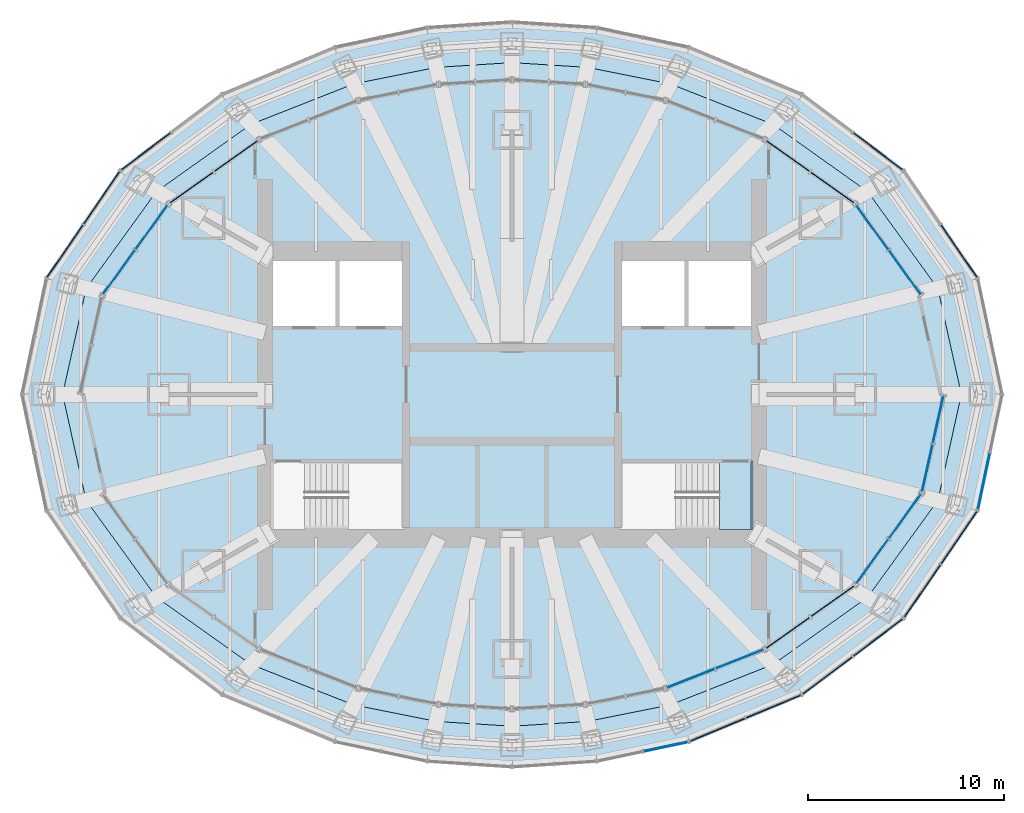
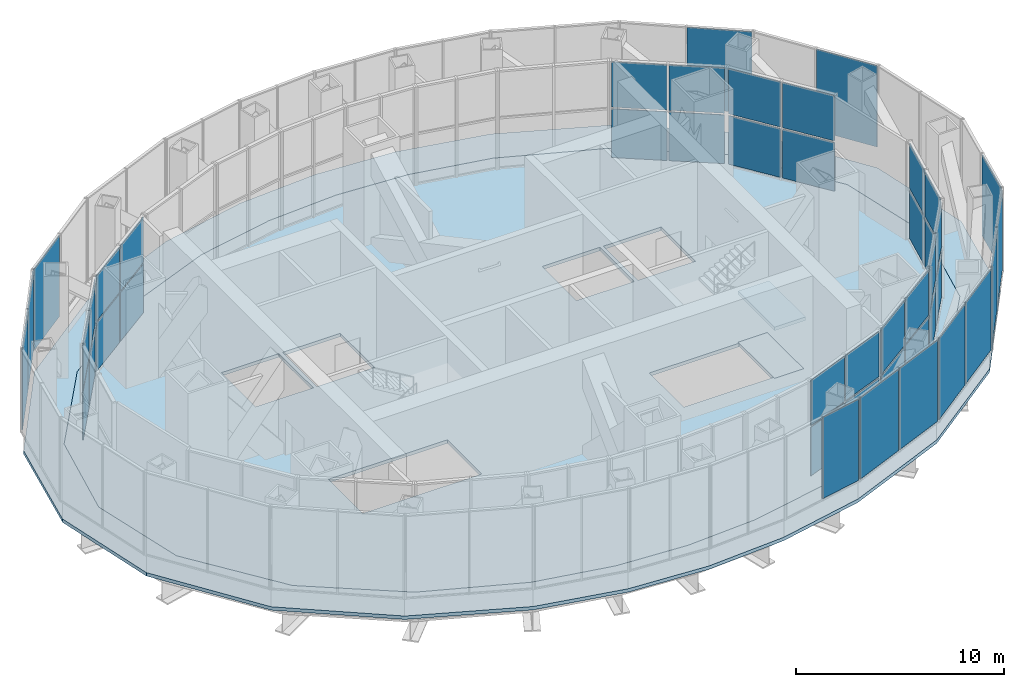
# One storey, part 14 of 21: 45 plates, 4 slabs, 18 elements without a shape of their own.
"""IFC4 building model written with IfcOpenShell, lengths in metres."""

from ifc_helpers import new_model, si_unit, direction, frame, origin, origin_2d, place, context, subcontext, project, spatial, polyline, rectangle, outline, extrude, material, layer, layer_set, type_object, element, aggregate, save


model = new_model("IFC4")

# Units and contexts
model_context = context("Model", 3, precision=1e-05, world=origin(), true_north=direction((0.0, 1.0)))
body_context = subcontext(model_context, "Body", "Model", "MODEL_VIEW")
ifc_project = project(units=[si_unit("LENGTHUNIT", "METRE"), si_unit("AREAUNIT", "SQUARE_METRE"), si_unit("VOLUMEUNIT", "CUBIC_METRE"), si_unit("PLANEANGLEUNIT", "RADIAN"), si_unit("MASSUNIT", "GRAM", prefix="KILO")], contexts=[model_context])

# Site, building, storey
site_placement = place(None, origin())
site = spatial("IfcSite", under=ifc_project, at=site_placement, CompositionType="ELEMENT")
building_placement = place(site_placement, origin())
building = spatial("IfcBuilding", under=site, at=building_placement, Name="Lantaw Convention Tower", CompositionType="ELEMENT")
storey_placement = place(building_placement, frame((0.0, 0.0, 284.39990234375)))
storey = spatial("IfcBuildingStorey", under=building, at=storey_placement, Name="L66", CompositionType="ELEMENT", Elevation=284.39990234375)

# Curtain wall, plates
ifc_material_1 = material(Name="Aluminium framed curtain wall", Category="aluminium")
curtain_wall_type_1 = type_object("IfcCurtainWallType", Name="Lantern corner louvre curtain wall, pale aluminium", PredefinedType="USERDEFINED", material=ifc_material_1)
curtain_wall_1_placement = place(storey_placement, origin())
curtain_wall_1 = element("IfcCurtainWall", 1, at=curtain_wall_1_placement, inside=storey, type_object=curtain_wall_type_1, Name="Lantern corner louvre curtain wall, pale aluminium L66", ObjectType="LOUVRE WALL", PredefinedType="USERDEFINED")
ifc_material_2 = material(Name="Aluminium louvre blades", Category="aluminium")
ifc_layer_1 = layer(ifc_material_2, 0.050048828125)
ifc_layer_set_1 = layer_set([ifc_layer_1], Name="CW-LC panel 50")
plate_type_1 = type_object("IfcPlateType", Name="CW-LC panel 50", PredefinedType="CURTAIN_PANEL", material=ifc_layer_set_1)
plate_1_placement = place(storey_placement, frame((16.344970703125, 10.549072265625, 0.10009765625), z_axis=(0.0, 0.0, 1.0), x_axis=(-0.814841441337, 0.579683901346, 0.0)))
plate_1 = element("IfcPlate", 2, at=plate_1_placement, type_object=plate_type_1, Name="CW-LC panel 1.1", PredefinedType="CURTAIN_PANEL", context=body_context, shape_type="SweptSolid", body=[
    extrude(rectangle(XDim=2.680419921875, YDim=0.050048828125, at=origin_2d()), origin(), (0.0, 0.0, 1.0), 2.85009765625),
])
plate_2_placement = place(storey_placement, frame((16.344970703125, 10.549072265625, 3.050048828125), z_axis=(0.0, 0.0, 1.0), x_axis=(-0.814841441337, 0.579683901346, 0.0)))
plate_2 = element("IfcPlate", 3, at=plate_2_placement, type_object=plate_type_1, Name="CW-LC panel 1.2", PredefinedType="CURTAIN_PANEL", context=body_context, shape_type="SweptSolid", body=[
    extrude(rectangle(XDim=2.680419921875, YDim=0.050048828125, at=origin_2d()), origin(), (0.0, 0.0, 1.0), 2.64990234375),
])
plate_3_placement = place(storey_placement, frame((14.079345703125, 12.16064453125, 0.10009765625), z_axis=(0.0, 0.0, 1.0), x_axis=(-0.814841441337, 0.579683901346, 0.0)))
plate_3 = element("IfcPlate", 4, at=plate_3_placement, type_object=plate_type_1, Name="CW-LC panel 2.1", PredefinedType="CURTAIN_PANEL", context=body_context, shape_type="SweptSolid", body=[
    extrude(rectangle(XDim=2.680419921875, YDim=0.050048828125, at=origin_2d()), origin(), (0.0, 0.0, 1.0), 2.85009765625),
])
plate_4_placement = place(storey_placement, frame((14.079345703125, 12.16064453125, 3.050048828125), z_axis=(0.0, 0.0, 1.0), x_axis=(-0.814841441337, 0.579683901346, 0.0)))
plate_4 = element("IfcPlate", 5, at=plate_4_placement, type_object=plate_type_1, Name="CW-LC panel 2.2", PredefinedType="CURTAIN_PANEL", context=body_context, shape_type="SweptSolid", body=[
    extrude(rectangle(XDim=2.680419921875, YDim=0.050048828125, at=origin_2d()), origin(), (0.0, 0.0, 1.0), 2.64990234375),
])
aggregate(curtain_wall_1, [plate_1, plate_2, plate_3, plate_4])

curtain_wall_2_placement = place(storey_placement, origin())
curtain_wall_2 = element("IfcCurtainWall", 6, at=curtain_wall_2_placement, inside=storey, type_object=curtain_wall_type_1, Name="Lantern corner louvre curtain wall, pale aluminium L66", ObjectType="LOUVRE WALL", PredefinedType="USERDEFINED")
plate_5_placement = place(storey_placement, frame((-14.079345703125, 12.16064453125, 0.10009765625), z_axis=(0.0, 0.0, 1.0), x_axis=(-0.814841441337, -0.579683901346, 0.0)))
plate_5 = element("IfcPlate", 7, at=plate_5_placement, type_object=plate_type_1, Name="CW-LC panel 1.1", PredefinedType="CURTAIN_PANEL", context=body_context, shape_type="SweptSolid", body=[
    extrude(rectangle(XDim=2.680419921875, YDim=0.050048828125, at=origin_2d()), origin(), (0.0, 0.0, 1.0), 2.85009765625),
])
plate_6_placement = place(storey_placement, frame((-14.079345703125, 12.16064453125, 3.050048828125), z_axis=(0.0, 0.0, 1.0), x_axis=(-0.814841441337, -0.579683901346, 0.0)))
plate_6 = element("IfcPlate", 8, at=plate_6_placement, type_object=plate_type_1, Name="CW-LC panel 1.2", PredefinedType="CURTAIN_PANEL", context=body_context, shape_type="SweptSolid", body=[
    extrude(rectangle(XDim=2.680419921875, YDim=0.050048828125, at=origin_2d()), origin(), (0.0, 0.0, 1.0), 2.64990234375),
])
plate_7_placement = place(storey_placement, frame((-16.344970703125, 10.549072265625, 0.10009765625), z_axis=(0.0, 0.0, 1.0), x_axis=(-0.814841441337, -0.579683901346, 0.0)))
plate_7 = element("IfcPlate", 9, at=plate_7_placement, type_object=plate_type_1, Name="CW-LC panel 2.1", PredefinedType="CURTAIN_PANEL", context=body_context, shape_type="SweptSolid", body=[
    extrude(rectangle(XDim=2.680419921875, YDim=0.050048828125, at=origin_2d()), origin(), (0.0, 0.0, 1.0), 2.85009765625),
])
plate_8_placement = place(storey_placement, frame((-16.344970703125, 10.549072265625, 3.050048828125), z_axis=(0.0, 0.0, 1.0), x_axis=(-0.814841441337, -0.579683901346, 0.0)))
plate_8 = element("IfcPlate", 10, at=plate_8_placement, type_object=plate_type_1, Name="CW-LC panel 2.2", PredefinedType="CURTAIN_PANEL", context=body_context, shape_type="SweptSolid", body=[
    extrude(rectangle(XDim=2.680419921875, YDim=0.050048828125, at=origin_2d()), origin(), (0.0, 0.0, 1.0), 2.64990234375),
])
aggregate(curtain_wall_2, [plate_5, plate_6, plate_7, plate_8])

curtain_wall_3_placement = place(storey_placement, origin())
curtain_wall_3 = element("IfcCurtainWall", 11, at=curtain_wall_3_placement, inside=storey, type_object=curtain_wall_type_1, Name="Lantern corner louvre curtain wall, pale aluminium L66", ObjectType="LOUVRE WALL", PredefinedType="USERDEFINED")
plate_9_placement = place(storey_placement, frame((14.079345703125, -12.16064453125, 0.10009765625), z_axis=(0.0, 0.0, 1.0), x_axis=(0.814841441337, 0.579683901346, 0.0)))
plate_9 = element("IfcPlate", 12, at=plate_9_placement, type_object=plate_type_1, Name="CW-LC panel 1.1", PredefinedType="CURTAIN_PANEL", context=body_context, shape_type="SweptSolid", body=[
    extrude(rectangle(XDim=2.680419921875, YDim=0.050048828125, at=origin_2d()), origin(), (0.0, 0.0, 1.0), 2.85009765625),
])
plate_10_placement = place(storey_placement, frame((14.079345703125, -12.16064453125, 3.050048828125), z_axis=(0.0, 0.0, 1.0), x_axis=(0.814841441337, 0.579683901346, 0.0)))
plate_10 = element("IfcPlate", 13, at=plate_10_placement, type_object=plate_type_1, Name="CW-LC panel 1.2", PredefinedType="CURTAIN_PANEL", context=body_context, shape_type="SweptSolid", body=[
    extrude(rectangle(XDim=2.680419921875, YDim=0.050048828125, at=origin_2d()), origin(), (0.0, 0.0, 1.0), 2.64990234375),
])
plate_11_placement = place(storey_placement, frame((16.344970703125, -10.549072265625, 0.10009765625), z_axis=(0.0, 0.0, 1.0), x_axis=(0.814841441337, 0.579683901346, 0.0)))
plate_11 = element("IfcPlate", 14, at=plate_11_placement, type_object=plate_type_1, Name="CW-LC panel 2.1", PredefinedType="CURTAIN_PANEL", context=body_context, shape_type="SweptSolid", body=[
    extrude(rectangle(XDim=2.680419921875, YDim=0.050048828125, at=origin_2d()), origin(), (0.0, 0.0, 1.0), 2.85009765625),
])
plate_12_placement = place(storey_placement, frame((16.344970703125, -10.549072265625, 3.050048828125), z_axis=(0.0, 0.0, 1.0), x_axis=(0.814841441337, 0.579683901346, 0.0)))
plate_12 = element("IfcPlate", 15, at=plate_12_placement, type_object=plate_type_1, Name="CW-LC panel 2.2", PredefinedType="CURTAIN_PANEL", context=body_context, shape_type="SweptSolid", body=[
    extrude(rectangle(XDim=2.680419921875, YDim=0.050048828125, at=origin_2d()), origin(), (0.0, 0.0, 1.0), 2.64990234375),
])
aggregate(curtain_wall_3, [plate_9, plate_10, plate_11, plate_12])

curtain_wall_type_2 = type_object("IfcCurtainWallType", Name="LANTERN glazing curtain wall, pale aluminium", PredefinedType="USERDEFINED", material=ifc_material_1)
curtain_wall_4_placement = place(storey_placement, origin())
curtain_wall_4 = element("IfcCurtainWall", 16, at=curtain_wall_4_placement, inside=storey, type_object=curtain_wall_type_2, Name="LANTERN glazing curtain wall, pale aluminium L66", ObjectType="LANTERN GLAZING", PredefinedType="USERDEFINED")
ifc_material_3 = material(Name="Low-iron laminated glass", Category="glass")
ifc_layer_2 = layer(ifc_material_3, 0.035888671875)
ifc_layer_set_2 = layer_set([ifc_layer_2], Name="CW-LN panel 36")
plate_type_2 = type_object("IfcPlateType", Name="CW-LN panel 36", PredefinedType="CURTAIN_PANEL", material=ifc_layer_set_2)
plate_13_placement = place(storey_placement, frame((20.04638671875, 6.2255859375, 0.10009765625), z_axis=(0.0, 0.0, 1.0), x_axis=(-0.586786346995, 0.809741800193, 0.0)))
plate_13 = element("IfcPlate", 17, at=plate_13_placement, type_object=plate_type_2, Name="CW-LN panel 1.1", PredefinedType="CURTAIN_PANEL", context=body_context, shape_type="SweptSolid", body=[
    extrude(rectangle(XDim=2.73876953125, YDim=0.035888671875, at=origin_2d()), origin(), (0.0, 0.0, 1.0), 2.85009765625),
])
plate_14_placement = place(storey_placement, frame((20.04638671875, 6.2255859375, 3.050048828125), z_axis=(0.0, 0.0, 1.0), x_axis=(-0.586786346995, 0.809741800193, 0.0)))
plate_14 = element("IfcPlate", 18, at=plate_14_placement, type_object=plate_type_2, Name="CW-LN panel 1.2", PredefinedType="CURTAIN_PANEL", context=body_context, shape_type="SweptSolid", body=[
    extrude(rectangle(XDim=2.73876953125, YDim=0.035888671875, at=origin_2d()), origin(), (0.0, 0.0, 1.0), 2.64990234375),
])
plate_15_placement = place(storey_placement, frame((18.380615234375, 8.524169921875, 0.10009765625), z_axis=(0.0, 0.0, 1.0), x_axis=(-0.586786346995, 0.809741800193, 0.0)))
plate_15 = element("IfcPlate", 19, at=plate_15_placement, type_object=plate_type_2, Name="CW-LN panel 2.1", PredefinedType="CURTAIN_PANEL", context=body_context, shape_type="SweptSolid", body=[
    extrude(rectangle(XDim=2.73876953125, YDim=0.035888671875, at=origin_2d()), origin(), (0.0, 0.0, 1.0), 2.85009765625),
])
plate_16_placement = place(storey_placement, frame((18.380615234375, 8.524169921875, 3.050048828125), z_axis=(0.0, 0.0, 1.0), x_axis=(-0.586786346995, 0.809741800193, 0.0)))
plate_16 = element("IfcPlate", 20, at=plate_16_placement, type_object=plate_type_2, Name="CW-LN panel 2.2", PredefinedType="CURTAIN_PANEL", context=body_context, shape_type="SweptSolid", body=[
    extrude(rectangle(XDim=2.73876953125, YDim=0.035888671875, at=origin_2d()), origin(), (0.0, 0.0, 1.0), 2.64990234375),
])
aggregate(curtain_wall_4, [plate_13, plate_14, plate_15, plate_16])

curtain_wall_5_placement = place(storey_placement, origin())
curtain_wall_5 = element("IfcCurtainWall", 21, at=curtain_wall_5_placement, inside=storey, type_object=curtain_wall_type_2, Name="LANTERN glazing curtain wall, pale aluminium L66", ObjectType="LANTERN GLAZING", PredefinedType="USERDEFINED")
plate_17_placement = place(storey_placement, frame((-18.380615234375, 8.524169921875, 0.10009765625), z_axis=(0.0, 0.0, 1.0), x_axis=(-0.586786346995, -0.809741800193, 0.0)))
plate_17 = element("IfcPlate", 22, at=plate_17_placement, type_object=plate_type_2, Name="CW-LN panel 1.1", PredefinedType="CURTAIN_PANEL", context=body_context, shape_type="SweptSolid", body=[
    extrude(rectangle(XDim=2.73876953125, YDim=0.035888671875, at=origin_2d()), origin(), (0.0, 0.0, 1.0), 2.85009765625),
])
plate_18_placement = place(storey_placement, frame((-18.380615234375, 8.524169921875, 3.050048828125), z_axis=(0.0, 0.0, 1.0), x_axis=(-0.586786346995, -0.809741800193, 0.0)))
plate_18 = element("IfcPlate", 23, at=plate_18_placement, type_object=plate_type_2, Name="CW-LN panel 1.2", PredefinedType="CURTAIN_PANEL", context=body_context, shape_type="SweptSolid", body=[
    extrude(rectangle(XDim=2.73876953125, YDim=0.035888671875, at=origin_2d()), origin(), (0.0, 0.0, 1.0), 2.64990234375),
])
plate_19_placement = place(storey_placement, frame((-20.04638671875, 6.2255859375, 0.10009765625), z_axis=(0.0, 0.0, 1.0), x_axis=(-0.586786346995, -0.809741800193, 0.0)))
plate_19 = element("IfcPlate", 24, at=plate_19_placement, type_object=plate_type_2, Name="CW-LN panel 2.1", PredefinedType="CURTAIN_PANEL", context=body_context, shape_type="SweptSolid", body=[
    extrude(rectangle(XDim=2.73876953125, YDim=0.035888671875, at=origin_2d()), origin(), (0.0, 0.0, 1.0), 2.85009765625),
])
plate_20_placement = place(storey_placement, frame((-20.04638671875, 6.2255859375, 3.050048828125), z_axis=(0.0, 0.0, 1.0), x_axis=(-0.586786346995, -0.809741800193, 0.0)))
plate_20 = element("IfcPlate", 25, at=plate_20_placement, type_object=plate_type_2, Name="CW-LN panel 2.2", PredefinedType="CURTAIN_PANEL", context=body_context, shape_type="SweptSolid", body=[
    extrude(rectangle(XDim=2.73876953125, YDim=0.035888671875, at=origin_2d()), origin(), (0.0, 0.0, 1.0), 2.64990234375),
])
aggregate(curtain_wall_5, [plate_17, plate_18, plate_19, plate_20])

curtain_wall_6_placement = place(storey_placement, origin())
curtain_wall_6 = element("IfcCurtainWall", 26, at=curtain_wall_6_placement, inside=storey, type_object=curtain_wall_type_2, Name="LANTERN glazing curtain wall, pale aluminium L66", ObjectType="LANTERN GLAZING", PredefinedType="USERDEFINED")
plate_21_placement = place(storey_placement, frame((9.127197265625, -14.4853515625, 0.10009765625), z_axis=(0.0, 0.0, 1.0), x_axis=(0.930299050885, 0.366801957358, 0.0)))
plate_21 = element("IfcPlate", 27, at=plate_21_placement, type_object=plate_type_2, Name="CW-LN panel 1.1", PredefinedType="CURTAIN_PANEL", context=body_context, shape_type="SweptSolid", body=[
    extrude(rectangle(XDim=2.574462890625, YDim=0.035888671875, at=origin_2d()), origin(), (0.0, 0.0, 1.0), 2.85009765625),
])
plate_22_placement = place(storey_placement, frame((9.127197265625, -14.4853515625, 3.050048828125), z_axis=(0.0, 0.0, 1.0), x_axis=(0.930299050885, 0.366801957358, 0.0)))
plate_22 = element("IfcPlate", 28, at=plate_22_placement, type_object=plate_type_2, Name="CW-LN panel 1.2", PredefinedType="CURTAIN_PANEL", context=body_context, shape_type="SweptSolid", body=[
    extrude(rectangle(XDim=2.574462890625, YDim=0.035888671875, at=origin_2d()), origin(), (0.0, 0.0, 1.0), 2.64990234375),
])
plate_23_placement = place(storey_placement, frame((11.615234375, -13.50439453125, 0.10009765625), z_axis=(0.0, 0.0, 1.0), x_axis=(0.930299050885, 0.366801957358, 0.0)))
plate_23 = element("IfcPlate", 29, at=plate_23_placement, type_object=plate_type_2, Name="CW-LN panel 2.1", PredefinedType="CURTAIN_PANEL", context=body_context, shape_type="SweptSolid", body=[
    extrude(rectangle(XDim=2.574462890625, YDim=0.035888671875, at=origin_2d()), origin(), (0.0, 0.0, 1.0), 2.85009765625),
])
plate_24_placement = place(storey_placement, frame((11.615234375, -13.50439453125, 3.050048828125), z_axis=(0.0, 0.0, 1.0), x_axis=(0.930299050885, 0.366801957358, 0.0)))
plate_24 = element("IfcPlate", 30, at=plate_24_placement, type_object=plate_type_2, Name="CW-LN panel 2.2", PredefinedType="CURTAIN_PANEL", context=body_context, shape_type="SweptSolid", body=[
    extrude(rectangle(XDim=2.574462890625, YDim=0.035888671875, at=origin_2d()), origin(), (0.0, 0.0, 1.0), 2.64990234375),
])
aggregate(curtain_wall_6, [plate_21, plate_22, plate_23, plate_24])

curtain_wall_7_placement = place(storey_placement, origin())
curtain_wall_7 = element("IfcCurtainWall", 31, at=curtain_wall_7_placement, inside=storey, type_object=curtain_wall_type_2, Name="LANTERN glazing curtain wall, pale aluminium L66", ObjectType="LANTERN GLAZING", PredefinedType="USERDEFINED")
plate_25_placement = place(storey_placement, frame((18.380615234375, -8.524169921875, 0.10009765625), z_axis=(0.0, 0.0, 1.0), x_axis=(0.586786346995, 0.809741800193, 0.0)))
plate_25 = element("IfcPlate", 32, at=plate_25_placement, type_object=plate_type_2, Name="CW-LN panel 1.1", PredefinedType="CURTAIN_PANEL", context=body_context, shape_type="SweptSolid", body=[
    extrude(rectangle(XDim=2.73876953125, YDim=0.035888671875, at=origin_2d()), origin(), (0.0, 0.0, 1.0), 2.85009765625),
])
plate_26_placement = place(storey_placement, frame((18.380615234375, -8.524169921875, 3.050048828125), z_axis=(0.0, 0.0, 1.0), x_axis=(0.586786346995, 0.809741800193, 0.0)))
plate_26 = element("IfcPlate", 33, at=plate_26_placement, type_object=plate_type_2, Name="CW-LN panel 1.2", PredefinedType="CURTAIN_PANEL", context=body_context, shape_type="SweptSolid", body=[
    extrude(rectangle(XDim=2.73876953125, YDim=0.035888671875, at=origin_2d()), origin(), (0.0, 0.0, 1.0), 2.64990234375),
])
plate_27_placement = place(storey_placement, frame((20.04638671875, -6.2255859375, 0.10009765625), z_axis=(0.0, 0.0, 1.0), x_axis=(0.586786346995, 0.809741800193, 0.0)))
plate_27 = element("IfcPlate", 34, at=plate_27_placement, type_object=plate_type_2, Name="CW-LN panel 2.1", PredefinedType="CURTAIN_PANEL", context=body_context, shape_type="SweptSolid", body=[
    extrude(rectangle(XDim=2.73876953125, YDim=0.035888671875, at=origin_2d()), origin(), (0.0, 0.0, 1.0), 2.85009765625),
])
plate_28_placement = place(storey_placement, frame((20.04638671875, -6.2255859375, 3.050048828125), z_axis=(0.0, 0.0, 1.0), x_axis=(0.586786346995, 0.809741800193, 0.0)))
plate_28 = element("IfcPlate", 35, at=plate_28_placement, type_object=plate_type_2, Name="CW-LN panel 2.2", PredefinedType="CURTAIN_PANEL", context=body_context, shape_type="SweptSolid", body=[
    extrude(rectangle(XDim=2.73876953125, YDim=0.035888671875, at=origin_2d()), origin(), (0.0, 0.0, 1.0), 2.64990234375),
])
aggregate(curtain_wall_7, [plate_25, plate_26, plate_27, plate_28])

curtain_wall_8_placement = place(storey_placement, origin())
curtain_wall_8 = element("IfcCurtainWall", 36, at=curtain_wall_8_placement, inside=storey, type_object=curtain_wall_type_2, Name="LANTERN glazing curtain wall, pale aluminium L66", ObjectType="LANTERN GLAZING", PredefinedType="USERDEFINED")
plate_29_placement = place(storey_placement, frame((21.193603515625, -3.75244140625, 0.10009765625), z_axis=(0.0, 0.0, 1.0), x_axis=(0.216765379683, 0.976223729568, 0.0)))
plate_29 = element("IfcPlate", 37, at=plate_29_placement, type_object=plate_type_2, Name="CW-LN panel 1.1", PredefinedType="CURTAIN_PANEL", context=body_context, shape_type="SweptSolid", body=[
    extrude(rectangle(XDim=2.42919921875, YDim=0.035888671875, at=origin_2d()), origin(), (0.0, 0.0, 1.0), 2.85009765625),
])
plate_30_placement = place(storey_placement, frame((21.193603515625, -3.75244140625, 3.050048828125), z_axis=(0.0, 0.0, 1.0), x_axis=(0.216765379683, 0.976223729568, 0.0)))
plate_30 = element("IfcPlate", 38, at=plate_30_placement, type_object=plate_type_2, Name="CW-LN panel 1.2", PredefinedType="CURTAIN_PANEL", context=body_context, shape_type="SweptSolid", body=[
    extrude(rectangle(XDim=2.42919921875, YDim=0.035888671875, at=origin_2d()), origin(), (0.0, 0.0, 1.0), 2.64990234375),
])
plate_31_placement = place(storey_placement, frame((21.741943359375, -1.283203125, 0.10009765625), z_axis=(0.0, 0.0, 1.0), x_axis=(0.216765379683, 0.976223729568, 0.0)))
plate_31 = element("IfcPlate", 39, at=plate_31_placement, type_object=plate_type_2, Name="CW-LN panel 2.1", PredefinedType="CURTAIN_PANEL", context=body_context, shape_type="SweptSolid", body=[
    extrude(rectangle(XDim=2.42919921875, YDim=0.035888671875, at=origin_2d()), origin(), (0.0, 0.0, 1.0), 2.85009765625),
])
plate_32_placement = place(storey_placement, frame((21.741943359375, -1.283203125, 3.050048828125), z_axis=(0.0, 0.0, 1.0), x_axis=(0.216765379683, 0.976223729568, 0.0)))
plate_32 = element("IfcPlate", 40, at=plate_32_placement, type_object=plate_type_2, Name="CW-LN panel 2.2", PredefinedType="CURTAIN_PANEL", context=body_context, shape_type="SweptSolid", body=[
    extrude(rectangle(XDim=2.42919921875, YDim=0.035888671875, at=origin_2d()), origin(), (0.0, 0.0, 1.0), 2.64990234375),
])
aggregate(curtain_wall_8, [plate_29, plate_30, plate_31, plate_32])

# Curtain wall, plate
curtain_wall_type_3 = type_object("IfcCurtainWallType", Name="Plant floor louvre wall, pale aluminium", PredefinedType="USERDEFINED", material=ifc_material_1)
curtain_wall_9_placement = place(storey_placement, origin())
curtain_wall_9 = element("IfcCurtainWall", 41, at=curtain_wall_9_placement, inside=storey, type_object=curtain_wall_type_3, Name="Plant floor louvre wall, pale aluminium L66", ObjectType="LOUVRE WALL", PredefinedType="USERDEFINED")
ifc_layer_3 = layer(ifc_material_2, 0.050048828125)
ifc_layer_set_3 = layer_set([ifc_layer_3], Name="CW-LV panel 50")
plate_type_3 = type_object("IfcPlateType", Name="CW-LV panel 50", PredefinedType="CURTAIN_PANEL", material=ifc_layer_set_3)
plate_33_placement = place(storey_placement, frame((22.80126953125, 7.31103515625, 1.169921875), z_axis=(0.0, 0.0, 1.0), x_axis=(-0.565934832921, 0.824449977189, 0.0)))
plate_33 = element("IfcPlate", 42, at=plate_33_placement, type_object=plate_type_3, Name="CW-LV panel 1.1", PredefinedType="CURTAIN_PANEL", context=body_context, shape_type="SweptSolid", body=[
    extrude(rectangle(XDim=3.22802734375, YDim=0.050048828125, at=origin_2d()), origin(), (0.0, 0.0, 1.0), 4.760009765625),
])
aggregate(curtain_wall_9, [plate_33])

curtain_wall_10_placement = place(storey_placement, origin())
curtain_wall_10 = element("IfcCurtainWall", 43, at=curtain_wall_10_placement, inside=storey, type_object=curtain_wall_type_3, Name="Plant floor louvre wall, pale aluminium L66", ObjectType="LOUVRE WALL", PredefinedType="USERDEFINED")
plate_34_placement = place(storey_placement, frame((18.67041015625, 12.403564453125, 1.169921875), z_axis=(0.0, 0.0, 1.0), x_axis=(-0.799517528732, 0.600642756762, 0.0)))
plate_34 = element("IfcPlate", 44, at=plate_34_placement, type_object=plate_type_3, Name="CW-LV panel 1.1", PredefinedType="CURTAIN_PANEL", context=body_context, shape_type="SweptSolid", body=[
    extrude(rectangle(XDim=3.140869140625, YDim=0.050048828125, at=origin_2d()), origin(), (0.0, 0.0, 1.0), 4.760009765625),
])
aggregate(curtain_wall_10, [plate_34])

curtain_wall_11_placement = place(storey_placement, origin())
curtain_wall_11 = element("IfcCurtainWall", 45, at=curtain_wall_11_placement, inside=storey, type_object=curtain_wall_type_3, Name="Plant floor louvre wall, pale aluminium L66", ObjectType="LOUVRE WALL", PredefinedType="USERDEFINED")
plate_35_placement = place(storey_placement, frame((-18.67041015625, 12.403564453125, 1.169921875), z_axis=(0.0, 0.0, 1.0), x_axis=(-0.799517528732, -0.600642756762, 0.0)))
plate_35 = element("IfcPlate", 46, at=plate_35_placement, type_object=plate_type_3, Name="CW-LV panel 2.1", PredefinedType="CURTAIN_PANEL", context=body_context, shape_type="SweptSolid", body=[
    extrude(rectangle(XDim=3.140869140625, YDim=0.050048828125, at=origin_2d()), origin(), (0.0, 0.0, 1.0), 4.760009765625),
])
aggregate(curtain_wall_11, [plate_35])

# Curtain wall, plates
curtain_wall_12_placement = place(storey_placement, origin())
curtain_wall_12 = element("IfcCurtainWall", 47, at=curtain_wall_12_placement, inside=storey, type_object=curtain_wall_type_3, Name="Plant floor louvre wall, pale aluminium L66", ObjectType="LOUVRE WALL", PredefinedType="USERDEFINED")
plate_36_placement = place(storey_placement, frame((-20.93505859375, 10.030029296875, 1.169921875), z_axis=(0.0, 0.0, 1.0), x_axis=(-0.565934832921, -0.824449977189, 0.0)))
plate_36 = element("IfcPlate", 48, at=plate_36_placement, type_object=plate_type_3, Name="CW-LV panel 1.1", PredefinedType="CURTAIN_PANEL", context=body_context, shape_type="SweptSolid", body=[
    extrude(rectangle(XDim=3.22802734375, YDim=0.050048828125, at=origin_2d()), origin(), (0.0, 0.0, 1.0), 4.760009765625),
])
plate_37_placement = place(storey_placement, frame((-22.80126953125, 7.31103515625, 1.169921875), z_axis=(0.0, 0.0, 1.0), x_axis=(-0.565934832921, -0.824449977189, 0.0)))
plate_37 = element("IfcPlate", 49, at=plate_37_placement, type_object=plate_type_3, Name="CW-LV panel 2.1", PredefinedType="CURTAIN_PANEL", context=body_context, shape_type="SweptSolid", body=[
    extrude(rectangle(XDim=3.22802734375, YDim=0.050048828125, at=origin_2d()), origin(), (0.0, 0.0, 1.0), 4.760009765625),
])
aggregate(curtain_wall_12, [plate_36, plate_37])

# Curtain wall, plate
curtain_wall_13_placement = place(storey_placement, origin())
curtain_wall_13 = element("IfcCurtainWall", 50, at=curtain_wall_13_placement, inside=storey, type_object=curtain_wall_type_3, Name="Plant floor louvre wall, pale aluminium L66", ObjectType="LOUVRE WALL", PredefinedType="USERDEFINED")
plate_38_placement = place(storey_placement, frame((7.833740234375, -17.970703125, 1.169921875), z_axis=(0.0, 0.0, 1.0), x_axis=(0.978332497083, 0.207039911975, 0.0)))
plate_38 = element("IfcPlate", 51, at=plate_38_placement, type_object=plate_type_3, Name="CW-LV panel 2.1", PredefinedType="CURTAIN_PANEL", context=body_context, shape_type="SweptSolid", body=[
    extrude(rectangle(XDim=2.30078125, YDim=0.050048828125, at=origin_2d()), origin(), (0.0, 0.0, 1.0), 4.760009765625),
])
aggregate(curtain_wall_13, [plate_38])

# Curtain wall, plates
curtain_wall_14_placement = place(storey_placement, origin())
curtain_wall_14 = element("IfcCurtainWall", 52, at=curtain_wall_14_placement, inside=storey, type_object=curtain_wall_type_3, Name="Plant floor louvre wall, pale aluminium L66", ObjectType="LOUVRE WALL", PredefinedType="USERDEFINED")
plate_39_placement = place(storey_placement, frame((10.48486328125, -17.111083984375, 1.169921875), z_axis=(0.0, 0.0, 1.0), x_axis=(0.923141777124, 0.384459697924, 0.0)))
plate_39 = element("IfcPlate", 53, at=plate_39_placement, type_object=plate_type_3, Name="CW-LV panel 1.1", PredefinedType="CURTAIN_PANEL", context=body_context, shape_type="SweptSolid", body=[
    extrude(rectangle(XDim=3.01708984375, YDim=0.050048828125, at=origin_2d()), origin(), (0.0, 0.0, 1.0), 4.760009765625),
])
plate_40_placement = place(storey_placement, frame((13.334716796875, -15.92431640625, 1.169921875), z_axis=(0.0, 0.0, 1.0), x_axis=(0.923141777124, 0.384459697924, 0.0)))
plate_40 = element("IfcPlate", 54, at=plate_40_placement, type_object=plate_type_3, Name="CW-LV panel 2.1", PredefinedType="CURTAIN_PANEL", context=body_context, shape_type="SweptSolid", body=[
    extrude(rectangle(XDim=3.01708984375, YDim=0.050048828125, at=origin_2d()), origin(), (0.0, 0.0, 1.0), 4.760009765625),
])
aggregate(curtain_wall_14, [plate_39, plate_40])

curtain_wall_15_placement = place(storey_placement, origin())
curtain_wall_15 = element("IfcCurtainWall", 55, at=curtain_wall_15_placement, inside=storey, type_object=curtain_wall_type_3, Name="Plant floor louvre wall, pale aluminium L66", ObjectType="LOUVRE WALL", PredefinedType="USERDEFINED")
plate_41_placement = place(storey_placement, frame((16.103271484375, -14.33203125, 1.169921875), z_axis=(0.0, 0.0, 1.0), x_axis=(0.799517528732, 0.600642756762, 0.0)))
plate_41 = element("IfcPlate", 56, at=plate_41_placement, type_object=plate_type_3, Name="CW-LV panel 1.1", PredefinedType="CURTAIN_PANEL", context=body_context, shape_type="SweptSolid", body=[
    extrude(rectangle(XDim=3.140869140625, YDim=0.050048828125, at=origin_2d()), origin(), (0.0, 0.0, 1.0), 4.760009765625),
])
plate_42_placement = place(storey_placement, frame((18.67041015625, -12.403564453125, 1.169921875), z_axis=(0.0, 0.0, 1.0), x_axis=(0.799517528732, 0.600642756762, 0.0)))
plate_42 = element("IfcPlate", 57, at=plate_42_placement, type_object=plate_type_3, Name="CW-LV panel 2.1", PredefinedType="CURTAIN_PANEL", context=body_context, shape_type="SweptSolid", body=[
    extrude(rectangle(XDim=3.140869140625, YDim=0.050048828125, at=origin_2d()), origin(), (0.0, 0.0, 1.0), 4.760009765625),
])
aggregate(curtain_wall_15, [plate_41, plate_42])

curtain_wall_16_placement = place(storey_placement, origin())
curtain_wall_16 = element("IfcCurtainWall", 58, at=curtain_wall_16_placement, inside=storey, type_object=curtain_wall_type_3, Name="Plant floor louvre wall, pale aluminium L66", ObjectType="LOUVRE WALL", PredefinedType="USERDEFINED")
plate_43_placement = place(storey_placement, frame((20.93505859375, -10.030029296875, 1.169921875), z_axis=(0.0, 0.0, 1.0), x_axis=(0.565934832921, 0.824449977189, 0.0)))
plate_43 = element("IfcPlate", 59, at=plate_43_placement, type_object=plate_type_3, Name="CW-LV panel 1.1", PredefinedType="CURTAIN_PANEL", context=body_context, shape_type="SweptSolid", body=[
    extrude(rectangle(XDim=3.22802734375, YDim=0.050048828125, at=origin_2d()), origin(), (0.0, 0.0, 1.0), 4.760009765625),
])
plate_44_placement = place(storey_placement, frame((22.80126953125, -7.31103515625, 1.169921875), z_axis=(0.0, 0.0, 1.0), x_axis=(0.565934832921, 0.824449977189, 0.0)))
plate_44 = element("IfcPlate", 60, at=plate_44_placement, type_object=plate_type_3, Name="CW-LV panel 2.1", PredefinedType="CURTAIN_PANEL", context=body_context, shape_type="SweptSolid", body=[
    extrude(rectangle(XDim=3.22802734375, YDim=0.050048828125, at=origin_2d()), origin(), (0.0, 0.0, 1.0), 4.760009765625),
])
aggregate(curtain_wall_16, [plate_43, plate_44])

# Curtain wall, plate
curtain_wall_17_placement = place(storey_placement, origin())
curtain_wall_17 = element("IfcCurtainWall", 61, at=curtain_wall_17_placement, inside=storey, type_object=curtain_wall_type_3, Name="Plant floor louvre wall, pale aluminium L66", ObjectType="LOUVRE WALL", PredefinedType="USERDEFINED")
plate_45_placement = place(storey_placement, frame((24.0693359375, -4.4248046875, 1.169921875), z_axis=(0.0, 0.0, 1.0), x_axis=(0.205814054946, 0.978591117263, 0.0)))
plate_45 = element("IfcPlate", 62, at=plate_45_placement, type_object=plate_type_3, Name="CW-LV panel 1.1", PredefinedType="CURTAIN_PANEL", context=body_context, shape_type="SweptSolid", body=[
    extrude(rectangle(XDim=2.921142578125, YDim=0.050048828125, at=origin_2d()), origin(), (0.0, 0.0, 1.0), 4.760009765625),
])
aggregate(curtain_wall_17, [plate_45])

# Slab
ifc_material_4 = material(Name="Concrete C35/45", Category="concrete")
ifc_layer_4 = layer(ifc_material_4, 0.199951171875)
ifc_layer_set_4 = layer_set([ifc_layer_4], Name="Floor slab 200")
slab_type_1 = type_object("IfcSlabType", Name="Floor slab 200", PredefinedType="FLOOR", material=ifc_layer_set_4)
slab_1_placement = place(storey_placement, frame((0.0, 0.0, -0.199951171875)))
element("IfcSlab", 63, at=slab_1_placement, inside=storey, type_object=slab_type_1, Name="L66 floor slab", PredefinedType="FLOOR", context=body_context, shape_type="SweptSolid", body=[
    extrude(outline(polyline([(21.7236328125, -5.40234375), (22.923095703125, 0.0), (21.7236328125, 5.40234375), (18.142578125, 10.34375), (13.326171875, 13.7705078125), (8.0849609375, 15.8369140625), (3.859130859375, 16.683349609375), (0.0, 16.9248046875), (-3.859130859375, 16.683349609375), (-8.0849609375, 15.8369140625), (-13.326171875, 13.7705078125), (-18.142578125, 10.34375), (-21.7236328125, 5.40234375), (-22.923095703125, 0.0), (-21.7236328125, -5.40234375), (-18.142578125, -10.34375), (-13.326171875, -13.7705078125), (-8.0849609375, -15.8369140625), (-3.859130859375, -16.683349609375), (0.0, -16.9248046875), (3.859130859375, -16.683349609375), (8.0849609375, -15.8369140625), (13.326171875, -13.7705078125), (18.142578125, -10.34375), (21.7236328125, -5.40234375)]), holes=[polyline([(-12.199951171875, -3.5), (-12.199951171875, -6.800048828125), (-5.60009765625, -6.800048828125), (-5.60009765625, -3.5), (-12.199951171875, -3.5)]), polyline([(12.199951171875, -3.5), (5.60009765625, -3.5), (5.60009765625, -6.800048828125), (12.199951171875, -6.800048828125), (12.199951171875, -3.5)]), polyline([(-9.0, 6.800048828125), (-12.199951171875, 6.800048828125), (-12.199951171875, 3.5), (-9.0, 3.5), (-9.0, 6.800048828125)]), polyline([(-8.800048828125, 6.800048828125), (-8.800048828125, 3.5), (-5.60009765625, 3.5), (-5.60009765625, 6.800048828125), (-8.800048828125, 6.800048828125)]), polyline([(8.800048828125, 6.800048828125), (5.60009765625, 6.800048828125), (5.60009765625, 3.5), (8.800048828125, 3.5), (8.800048828125, 6.800048828125)]), polyline([(12.199951171875, 6.800048828125), (9.0, 6.800048828125), (9.0, 3.5), (12.199951171875, 3.5), (12.199951171875, 6.800048828125)])]), origin(), (0.0, 0.0, 1.0), 0.199951171875),
])

# Stair, slabs
stair_type = type_object("IfcStairType", Name="Exit stair 1500 riser 166.67 in 4 flights", PredefinedType="HALF_TURN_STAIR", material=ifc_material_4)
stair_placement = place(storey_placement, origin())
stair = element("IfcStair", 64, at=stair_placement, inside=storey, type_object=stair_type, Name="Exit stair S2 L66", PredefinedType="HALF_TURN_STAIR")
ifc_layer_5 = layer(ifc_material_4, 0.199951171875)
ifc_layer_set_5 = layer_set([ifc_layer_5], Name="Stair landing 200")
slab_type_2 = type_object("IfcSlabType", Name="Stair landing 200", PredefinedType="LANDING", material=ifc_layer_set_5)
slab_2_placement = place(storey_placement, frame((0.0, 0.0, -0.199951171875)))
slab_2 = element("IfcSlab", 65, at=slab_2_placement, type_object=slab_type_2, Name="S2 landing 1", PredefinedType="LANDING", context=body_context, shape_type="SweptSolid", body=[
    extrude(outline(polyline([(10.580078125, -6.89990234375), (12.199951171875, -6.89990234375), (12.199951171875, -3.39990234375), (10.580078125, -3.39990234375), (10.580078125, -6.89990234375)])), origin(), (0.0, 0.0, 1.0), 0.199951171875),
])
slab_3_placement = place(storey_placement, frame((0.0, 0.0, 2.800048828125)))
slab_3 = element("IfcSlab", 66, at=slab_3_placement, type_object=slab_type_2, Name="S2 landing 3", PredefinedType="LANDING", context=body_context, shape_type="SweptSolid", body=[
    extrude(outline(polyline([(10.580078125, -6.89990234375), (12.300048828125, -6.89990234375), (12.300048828125, -3.39990234375), (10.580078125, -3.39990234375), (10.580078125, -6.89990234375)])), origin(), (0.0, 0.0, 1.0), 0.199951171875),
])
aggregate(stair, [slab_2, slab_3])

# Slab
ifc_layer_6 = layer(ifc_material_4, 0.199951171875)
ifc_layer_set_6 = layer_set([ifc_layer_6], Name="Terrace slab 200")
slab_type_3 = type_object("IfcSlabType", Name="Terrace slab 200", PredefinedType="ROOF", material=ifc_layer_set_6)
slab_4_placement = place(storey_placement, frame((0.0, 0.0, -0.199951171875)))
element("IfcSlab", 67, at=slab_4_placement, inside=storey, type_object=slab_type_3, Name="L66 lantern maintenance ledge", PredefinedType="ROOF", context=body_context, shape_type="SweptSolid", body=[
    extrude(outline(polyline([(19.927001953125, -11.36572265625), (23.68408203125, -5.892578125), (24.92333984375, 0.0), (23.68408203125, 5.892578125), (19.927001953125, 11.36572265625), (14.75439453125, 15.251708984375), (9.00537109375, 17.64599609375), (4.310302734375, 18.6396484375), (0.0, 18.9248046875), (-4.310302734375, 18.6396484375), (-9.00537109375, 17.64599609375), (-14.75439453125, 15.251708984375), (-19.927001953125, 11.36572265625), (-23.68408203125, 5.892578125), (-24.92333984375, 0.0), (-23.68408203125, -5.892578125), (-19.927001953125, -11.36572265625), (-14.75439453125, -15.251708984375), (-9.00537109375, -17.64599609375), (-4.310302734375, -18.6396484375), (0.0, -18.9248046875), (4.310302734375, -18.6396484375), (9.00537109375, -17.64599609375), (14.75439453125, -15.251708984375), (19.927001953125, -11.36572265625)]), holes=[polyline([(18.142578125, 10.34375), (13.326171875, 13.7705078125), (8.0849609375, 15.8369140625), (3.859130859375, 16.683349609375), (0.0, 16.9248046875), (-3.859130859375, 16.683349609375), (-8.0849609375, 15.8369140625), (-13.326171875, 13.7705078125), (-18.142578125, 10.34375), (-21.7236328125, 5.40234375), (-22.923095703125, 0.0), (-21.7236328125, -5.40234375), (-18.142578125, -10.34375), (-13.326171875, -13.7705078125), (-8.0849609375, -15.8369140625), (-3.859130859375, -16.683349609375), (0.0, -16.9248046875), (3.859130859375, -16.683349609375), (8.0849609375, -15.8369140625), (13.326171875, -13.7705078125), (18.142578125, -10.34375), (21.7236328125, -5.40234375), (22.923095703125, 0.0), (21.7236328125, 5.40234375), (18.142578125, 10.34375)])]), origin(), (0.0, 0.0, 1.0), 0.199951171875),
])

save(model, "model.ifc")
